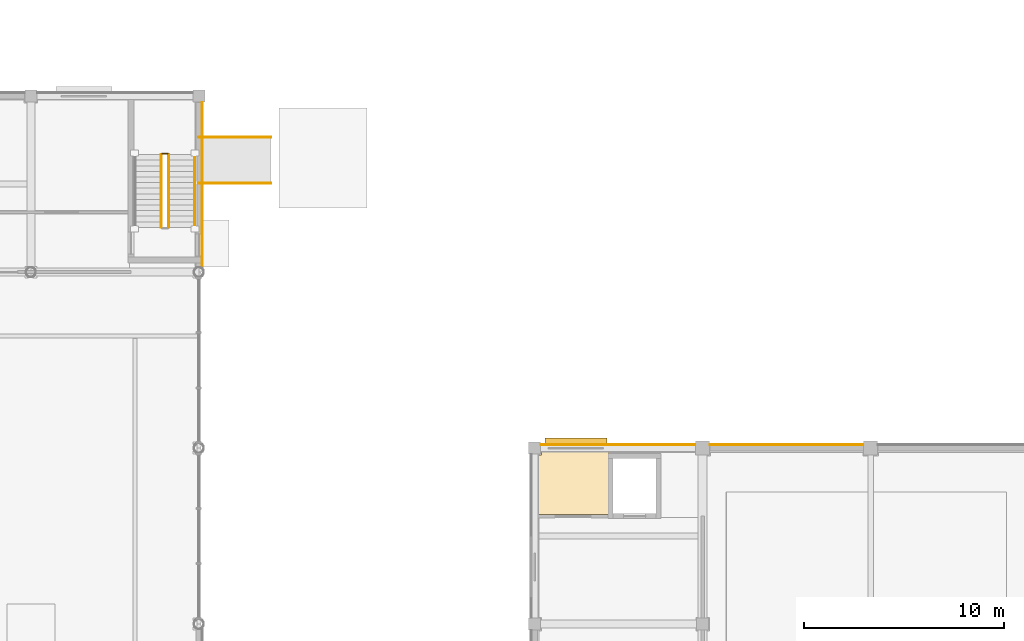
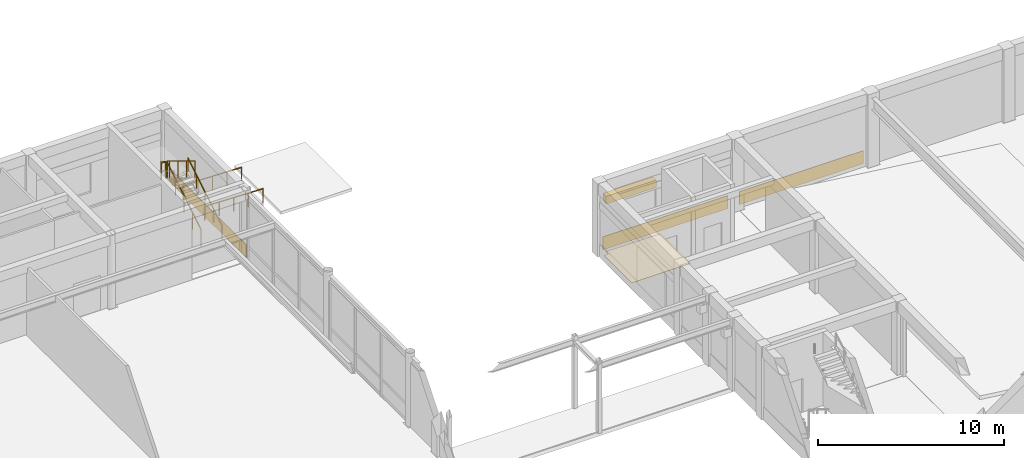
# One storey, part 46 of 58: 6 railings, 4 coverings, 1 shading device.
"""IFC4 building model written with IfcOpenShell, lengths in metres."""

from ifc_helpers import new_model, si_unit, direction, frame, origin, origin_2d, place, context, subcontext, project, spatial, polyline, rectangle, circle, outline, extrude, material, layer, layer_set, type_object, element, save


model = new_model("IFC4")

# Units and contexts
model_context = context("Model", 3, precision=1e-05, world=origin(), true_north=direction((0.0, 1.0)))
body_context = subcontext(model_context, "Body", "Model", "MODEL_VIEW")
ifc_project = project(units=[si_unit("LENGTHUNIT", "METRE"), si_unit("AREAUNIT", "SQUARE_METRE"), si_unit("VOLUMEUNIT", "CUBIC_METRE"), si_unit("PLANEANGLEUNIT", "RADIAN"), si_unit("MASSUNIT", "GRAM", prefix="KILO")], contexts=[model_context])

# Site, building, storey
site_placement = place(None, origin())
site = spatial("IfcSite", under=ifc_project, at=site_placement, CompositionType="ELEMENT")
building_placement = place(site_placement, origin())
building = spatial("IfcBuilding", under=site, at=building_placement, Name="Kemercrest Conservatory and Botanical Centre", CompositionType="ELEMENT")
storey_placement = place(building_placement, origin())
storey = spatial("IfcBuildingStorey", under=building, at=storey_placement, Name="L00", CompositionType="ELEMENT", Elevation=0.0)

# Coverings
ifc_material_1 = material(Name="Honed limestone almasik ashlar rainscreen", Category="masonry")
ifc_layer_1 = layer(ifc_material_1, 0.0400390625)
ifc_layer_set_1 = layer_set([ifc_layer_1], Name="Honed limestone almasik ashlar rainscreen")
covering_type_1 = type_object("IfcCoveringType", Name="CV-CLD040", PredefinedType="CLADDING", material=ifc_layer_set_1)
covering_1_placement = place(storey_placement, origin())
element("IfcCovering", 1, at=covering_1_placement, inside=storey, type_object=covering_type_1, Name="Exterior stone spandrel cladding (WAL:L00:EXT-006)", PredefinedType="CLADDING", context=body_context, shape_type="SweptSolid", body=[
    extrude(outline(polyline([(41.75, 52.263916015625), (41.7900390625, 52.263916015625), (41.7900390625, 60.489990234375), (41.75, 60.489990234375), (41.75, 52.263916015625)])), origin(), (0.0, 0.0, 1.0), 0.85009765625),
])
covering_2_placement = place(storey_placement, origin())
element("IfcCovering", 2, at=covering_2_placement, inside=storey, type_object=covering_type_1, Name="Exterior stone spandrel cladding (WAL:L00:EXT-032)", PredefinedType="CLADDING", context=body_context, shape_type="SweptSolid", body=[
    extrude(outline(polyline([(74.840087890625, 43.35009765625), (74.840087890625, 43.389892578125), (67.159912109375, 43.389892578125), (67.159912109375, 43.35009765625), (74.840087890625, 43.35009765625)])), origin(), (0.0, 0.0, 1.0), 0.85009765625),
])
covering_3_placement = place(storey_placement, origin())
element("IfcCovering", 3, at=covering_3_placement, inside=storey, type_object=covering_type_1, Name="Exterior stone spandrel cladding (WAL:L00:EXT-033)", PredefinedType="CLADDING", context=body_context, shape_type="SweptSolid", body=[
    extrude(outline(polyline([(66.43994140625, 43.35009765625), (66.43994140625, 43.389892578125), (58.7099609375, 43.389892578125), (58.7099609375, 43.35009765625), (66.43994140625, 43.35009765625)])), origin(), (0.0, 0.0, 1.0), 0.85009765625),
])
ifc_material_2 = material(Name="Polished limestone terrazzo and seamless laboratory epoxy flooring", Category="masonry")
ifc_layer_2 = layer(ifc_material_2, 0.02001953125)
ifc_layer_set_2 = layer_set([ifc_layer_2], Name="Polished limestone terrazzo and seamless laboratory epoxy flooring")
covering_type_2 = type_object("IfcCoveringType", Name="CV-FLR020", PredefinedType="FLOORING", material=ifc_layer_set_2)
covering_4_placement = place(storey_placement, origin())
element("IfcCovering", 4, at=covering_4_placement, inside=storey, type_object=covering_type_2, Name="Auditorium Accessible Washroom terrazzo floor finish", PredefinedType="FLOORING", context=body_context, shape_type="SweptSolid", body=[
    extrude(outline(polyline([(58.47998046875, 39.8798828125), (62.1201171875, 39.8798828125), (62.1201171875, 43.1201171875), (58.739990234375, 43.1201171875), (58.739990234375, 42.860107421875), (58.47998046875, 42.860107421875), (58.47998046875, 39.8798828125)])), origin(), (0.0, 0.0, 1.0), 0.02001953125),
])

# Railings
ifc_material_3 = material(Name="Painted galvanized steel tubular stair guardrail", Category="steel")
railing_type_1 = type_object("IfcRailingType", Name="GR-STR110", PredefinedType="GUARDRAIL", material=ifc_material_3)
railing_1_placement = place(storey_placement, frame((40.090087890625, 54.239990234375, 0.17138671875)))
element("IfcRailing", 5, at=railing_1_placement, inside=storey, type_object=railing_type_1, Name="L00 ST-V1B stair guard 1", PredefinedType="GUARDRAIL", context=body_context, shape_type="SweptSolid", body=[
    extrude(circle(Radius=0.02392578125, at=origin_2d()), frame((0.0, 0.0, 1.076171875), z_axis=(0.0, 0.852850264322, 0.5221555579), x_axis=(-1.0, 0.0, 0.0)), (0.0, 0.0, 1.0), 4.267822265625),
    extrude(circle(Radius=0.02099609375, at=origin_2d()), origin(), (0.0, 0.0, 1.0), 1.052001953125),
    extrude(circle(Radius=0.02099609375, at=origin_2d()), frame((0.0, 0.909912109375, 0.55712890625)), (0.0, 0.0, 1.0), 1.052001953125),
    extrude(circle(Radius=0.02099609375, at=origin_2d()), frame((0.0, 1.81982421875, 1.1142578125)), (0.0, 0.0, 1.0), 1.052001953125),
    extrude(circle(Radius=0.02099609375, at=origin_2d()), frame((0.0, 2.72998046875, 1.67138671875)), (0.0, 0.0, 1.0), 1.052001953125),
    extrude(circle(Radius=0.02099609375, at=origin_2d()), frame((0.0, 3.639892578125, 2.228515625)), (0.0, 0.0, 1.0), 1.052001953125),
])
railing_2_placement = place(storey_placement, frame((40.0400390625, 57.929931640625, 2.39990234375)))
element("IfcRailing", 6, at=railing_2_placement, inside=storey, type_object=railing_type_1, Name="L00 ST-V1B stair guard 2", PredefinedType="GUARDRAIL", context=body_context, shape_type="SweptSolid", body=[
    extrude(circle(Radius=0.02392578125, at=origin_2d()), frame((0.0, 0.0, 1.076171875), z_axis=(-1.0, 0.0, 0.0), x_axis=(0.0, -1.0, 0.0)), (0.0, 0.0, 1.0), 0.280029296875),
    extrude(circle(Radius=0.02099609375, at=origin_2d()), origin(), (0.0, 0.0, 1.0), 1.052001953125),
    extrude(circle(Radius=0.02099609375, at=origin_2d()), frame((-0.280029296875, 0.0, 0.0)), (0.0, 0.0, 1.0), 1.052001953125),
])
railing_3_placement = place(storey_placement, frame((39.7099609375, 57.8798828125, 2.571533203125)))
element("IfcRailing", 7, at=railing_3_placement, inside=storey, type_object=railing_type_1, Name="L00 ST-V1B stair guard 3", PredefinedType="GUARDRAIL", context=body_context, shape_type="SweptSolid", body=[
    extrude(circle(Radius=0.02392578125, at=origin_2d()), frame((0.0, 0.0, 1.076171875), z_axis=(0.0, -0.852850264322, 0.5221555579), x_axis=(1.0, 0.0, 0.0)), (0.0, 0.0, 1.0), 4.267822265625),
    extrude(circle(Radius=0.02099609375, at=origin_2d()), origin(), (0.0, 0.0, 1.0), 1.052001953125),
    extrude(circle(Radius=0.02099609375, at=origin_2d()), frame((0.0, -0.909912109375, 0.55712890625)), (0.0, 0.0, 1.0), 1.052001953125),
    extrude(circle(Radius=0.02099609375, at=origin_2d()), frame((0.0, -1.81982421875, 1.1142578125)), (0.0, 0.0, 1.0), 1.052001953125),
    extrude(circle(Radius=0.02099609375, at=origin_2d()), frame((0.0, -2.72998046875, 1.67138671875)), (0.0, 0.0, 1.0), 1.052001953125),
    extrude(circle(Radius=0.02099609375, at=origin_2d()), frame((0.0, -3.639892578125, 2.228515625)), (0.0, 0.0, 1.0), 1.052001953125),
])
ifc_material_4 = material(Name="Architectural bronze-anodized steel balustrade", Category="steel")
railing_type_2 = type_object("IfcRailingType", Name="HR-RMP092", PredefinedType="HANDRAIL", material=ifc_material_4)
for number, where, name in (
    (8, (45.199951171875, 56.449951171875, -0.10009765625), "Accessible ramp AR-05 handrail 1"),
    (9, (45.199951171875, 58.75, -0.10009765625), "Accessible ramp AR-05 handrail 2"),
):
    element("IfcRailing", number, at=place(storey_placement, frame(where)), inside=storey, type_object=railing_type_2, Name=name, PredefinedType="HANDRAIL", context=body_context, shape_type="SweptSolid", body=[
        extrude(circle(Radius=0.02392578125, at=origin_2d()), frame((0.0, 0.0, 0.89599609375), z_axis=(-0.999613636213, 0.0, 0.027795292699), x_axis=(0.0, -1.0, 0.0)), (0.0, 0.0, 1.0), 3.601318359375),
        extrude(circle(Radius=0.02099609375, at=origin_2d()), origin(), (0.0, 0.0, 1.0), 0.871826171875),
        extrude(circle(Radius=0.02099609375, at=origin_2d()), frame((-0.89990234375, 0.0, 0.02490234375)), (0.0, 0.0, 1.0), 0.871826171875),
        extrude(circle(Radius=0.02099609375, at=origin_2d()), frame((-1.7998046875, 0.0, 0.050048828125)), (0.0, 0.0, 1.0), 0.871826171875),
        extrude(circle(Radius=0.02099609375, at=origin_2d()), frame((-2.699951171875, 0.0, 0.0751953125)), (0.0, 0.0, 1.0), 0.871826171875),
        extrude(circle(Radius=0.02099609375, at=origin_2d()), frame((-3.599853515625, 0.0, 0.10009765625)), (0.0, 0.0, 1.0), 0.871826171875),
    ])
ifc_material_5 = material(Name="Brushed stainless steel wall-mounted handrail", Category="steel")
railing_type_3 = type_object("IfcRailingType", Name="HR-STR090", PredefinedType="HANDRAIL", material=ifc_material_5)
railing_4_placement = place(storey_placement, frame((41.389892578125, 54.239990234375, 0.17138671875)))
element("IfcRailing", 10, at=railing_4_placement, inside=storey, type_object=railing_type_3, Name="L00 ST-V1B stair handrail 1", PredefinedType="HANDRAIL", context=body_context, shape_type="SweptSolid", body=[
    extrude(circle(Radius=0.02392578125, at=origin_2d()), frame((0.0, 0.0, 0.8759765625), z_axis=(0.0, 0.852850264322, 0.5221555579), x_axis=(-1.0, 0.0, 0.0)), (0.0, 0.0, 1.0), 4.267822265625),
    extrude(circle(Radius=0.02099609375, at=origin_2d()), origin(), (0.0, 0.0, 1.0), 0.851806640625),
    extrude(circle(Radius=0.02099609375, at=origin_2d()), frame((0.0, 0.909912109375, 0.55712890625)), (0.0, 0.0, 1.0), 0.851806640625),
    extrude(circle(Radius=0.02099609375, at=origin_2d()), frame((0.0, 1.81982421875, 1.1142578125)), (0.0, 0.0, 1.0), 0.851806640625),
    extrude(circle(Radius=0.02099609375, at=origin_2d()), frame((0.0, 2.72998046875, 1.67138671875)), (0.0, 0.0, 1.0), 0.851806640625),
    extrude(circle(Radius=0.02099609375, at=origin_2d()), frame((0.0, 3.639892578125, 2.228515625)), (0.0, 0.0, 1.0), 0.851806640625),
])

# Shading device
ifc_material_6 = material(Name="Architectural bronze-anodized extruded aluminium", Category="aluminium")
shading_device_type = type_object("IfcShadingDeviceType", Name="SH-JL04", PredefinedType="JALOUSIE", material=ifc_material_6)
shading_device_placement = place(storey_placement, frame((60.455078125, 43.52294921875, 2.929931640625), z_axis=(0.0, 0.0, 1.0), x_axis=(-1.0, 0.0, 0.0)))
element("IfcShadingDevice", 11, at=shading_device_placement, inside=storey, type_object=shading_device_type, Name="Solar control louvre visor SH-JL04 (WIN:L00:EXT-033)", PredefinedType="JALOUSIE", context=body_context, shape_type="SweptSolid", body=[
    extrude(rectangle(XDim=3.10009765625, YDim=0.35009765625, at=origin_2d()), origin(), (0.0, 0.0, 1.0), 0.5),
])

save(model, "model.ifc")
